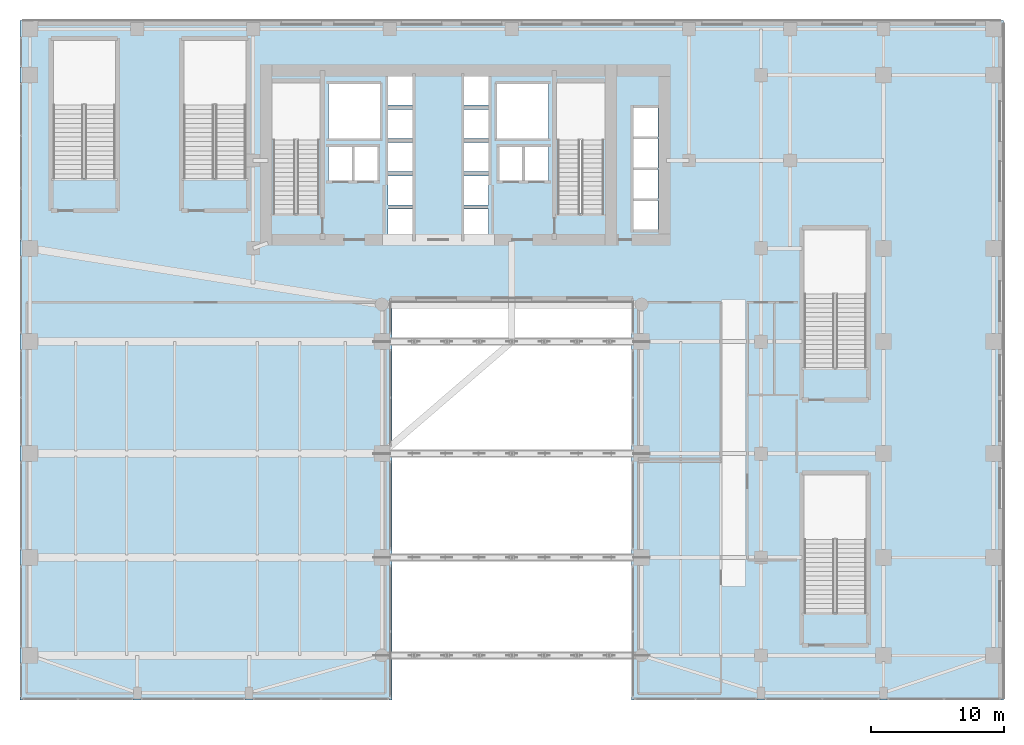
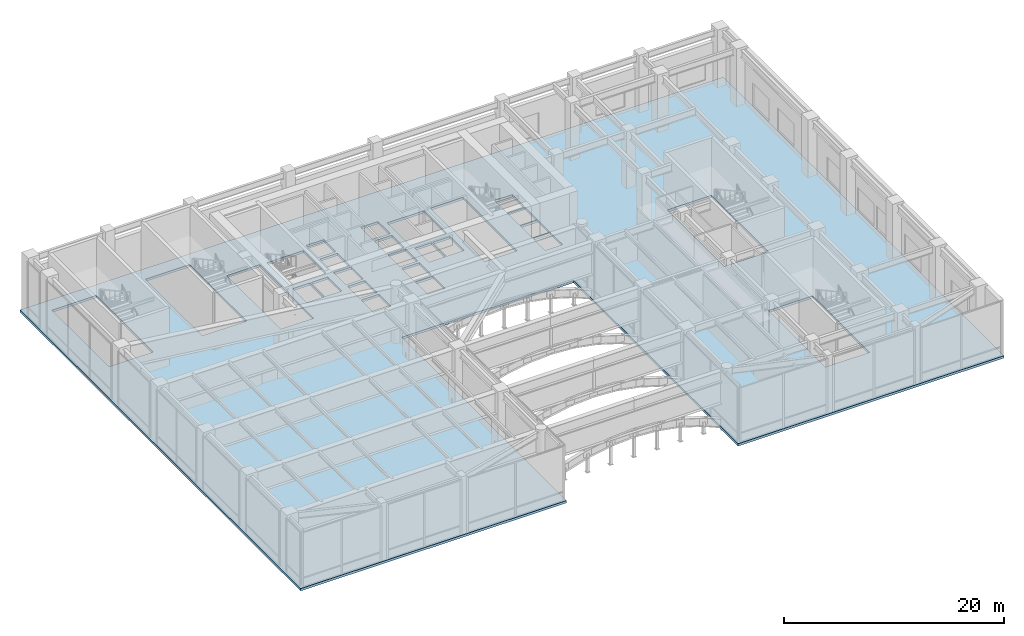
# One storey, part 37 of 50: 1 slab.
"""IFC4 building model written with IfcOpenShell, lengths in metres."""

from ifc_helpers import new_model, si_unit, direction, frame, origin, place, context, subcontext, project, spatial, polyline, outline, extrude, material, layer, layer_set, type_object, element, save


model = new_model("IFC4")

# Units and contexts
model_context = context("Model", 3, precision=1e-05, world=origin(), true_north=direction((0.0, 1.0)))
body_context = subcontext(model_context, "Body", "Model", "MODEL_VIEW")
ifc_project = project(units=[si_unit("LENGTHUNIT", "METRE"), si_unit("AREAUNIT", "SQUARE_METRE"), si_unit("VOLUMEUNIT", "CUBIC_METRE"), si_unit("PLANEANGLEUNIT", "RADIAN"), si_unit("MASSUNIT", "GRAM", prefix="KILO")], contexts=[model_context])

# Site, building, storey
site_placement = place(None, origin())
site = spatial("IfcSite", under=ifc_project, at=site_placement, CompositionType="ELEMENT")
building_placement = place(site_placement, origin())
building = spatial("IfcBuilding", under=site, at=building_placement, Name="Tolvann Quenvar Hotel", CompositionType="ELEMENT")
storey_placement = place(building_placement, frame((0.0, 0.0, 16.0)))
storey = spatial("IfcBuildingStorey", under=building, at=storey_placement, Name="L03", CompositionType="ELEMENT", Elevation=16.0)

# Slab
ifc_material = material(Name="Concrete N50 (50 MPa)", Category="concrete")
ifc_layer = layer(ifc_material, 0.260009765625)
ifc_layer_set = layer_set([ifc_layer], Name="Concrete N50 (50 MPa)")
slab_type = type_object("IfcSlabType", Name="SLAB_POD_250", PredefinedType="FLOOR", material=ifc_layer_set)
slab_placement = place(storey_placement, frame((0.0, 0.0, -0.260009765625)))
element("IfcSlab", 1, at=slab_placement, inside=storey, type_object=slab_type, Name="Level L03 Structural Floor Slab", PredefinedType="FLOOR", context=body_context, shape_type="SweptSolid", body=[
    extrude(outline(polyline([(-8.39990234375, -2.5), (19.5, -2.5), (19.5, 27.39990234375), (37.5, 27.39990234375), (37.5, -2.5), (65.39990234375, -2.5), (65.39990234375, 48.5), (-8.39990234375, 48.5), (-8.39990234375, -2.5)]), holes=[polyline([(50.449951171875, 4.074951171875), (50.449951171875, 14.39990234375), (55.10009765625, 14.39990234375), (55.10009765625, 4.074951171875), (50.449951171875, 4.074951171875)]), polyline([(50.449951171875, 32.800048828125), (55.10009765625, 32.800048828125), (55.10009765625, 22.47509765625), (50.449951171875, 22.47509765625), (50.449951171875, 32.800048828125)]), polyline([(39.469970703125, 41.949951171875), (39.469970703125, 39.77001953125), (37.6298828125, 39.77001953125), (37.6298828125, 41.949951171875), (39.469970703125, 41.949951171875)]), polyline([(39.469970703125, 39.6298828125), (39.469970703125, 37.449951171875), (37.6298828125, 37.449951171875), (37.6298828125, 39.6298828125), (39.469970703125, 39.6298828125)]), polyline([(37.6298828125, 37.31005859375), (39.469970703125, 37.31005859375), (39.469970703125, 35.1298828125), (37.6298828125, 35.1298828125), (37.6298828125, 37.31005859375)]), polyline([(39.469970703125, 34.989990234375), (39.469970703125, 32.81005859375), (37.6298828125, 32.81005859375), (37.6298828125, 34.989990234375), (39.469970703125, 34.989990234375)]), polyline([(31.949951171875, 43.800048828125), (35.39990234375, 43.800048828125), (35.39990234375, 34.02490234375), (31.949951171875, 34.02490234375), (31.949951171875, 43.800048828125)]), polyline([(31.25, 39.02001953125), (31.25, 36.47998046875), (29.449951171875, 36.47998046875), (29.449951171875, 39.02001953125), (31.25, 39.02001953125)]), polyline([(31.25, 43.75), (31.25, 39.64990234375), (27.39990234375, 39.64990234375), (27.39990234375, 43.75), (31.25, 43.75)]), polyline([(29.324951171875, 39.02001953125), (29.324951171875, 36.47998046875), (27.574951171875, 36.47998046875), (27.574951171875, 39.02001953125), (29.324951171875, 39.02001953125)]), polyline([(24.929931640625, 36.840087890625), (26.77001953125, 36.840087890625), (26.77001953125, 34.659912109375), (24.929931640625, 34.659912109375), (24.929931640625, 36.840087890625)]), polyline([(26.77001953125, 44.340087890625), (26.77001953125, 42.159912109375), (24.929931640625, 42.159912109375), (24.929931640625, 44.340087890625), (26.77001953125, 44.340087890625)]), polyline([(26.77001953125, 41.840087890625), (26.77001953125, 39.659912109375), (24.929931640625, 39.659912109375), (24.929931640625, 41.840087890625), (26.77001953125, 41.840087890625)]), polyline([(24.929931640625, 39.340087890625), (26.77001953125, 39.340087890625), (26.77001953125, 37.159912109375), (24.929931640625, 37.159912109375), (24.929931640625, 39.340087890625)]), polyline([(26.77001953125, 34.340087890625), (26.77001953125, 32.159912109375), (24.929931640625, 32.159912109375), (24.929931640625, 34.340087890625), (26.77001953125, 34.340087890625)]), polyline([(21.070068359375, 44.340087890625), (21.070068359375, 42.159912109375), (19.22998046875, 42.159912109375), (19.22998046875, 44.340087890625), (21.070068359375, 44.340087890625)]), polyline([(21.070068359375, 41.840087890625), (21.070068359375, 39.659912109375), (19.22998046875, 39.659912109375), (19.22998046875, 41.840087890625), (21.070068359375, 41.840087890625)]), polyline([(19.22998046875, 39.340087890625), (21.070068359375, 39.340087890625), (21.070068359375, 37.159912109375), (19.22998046875, 37.159912109375), (19.22998046875, 39.340087890625)]), polyline([(21.070068359375, 36.840087890625), (21.070068359375, 34.659912109375), (19.22998046875, 34.659912109375), (19.22998046875, 36.840087890625), (21.070068359375, 36.840087890625)]), polyline([(19.22998046875, 34.340087890625), (21.070068359375, 34.340087890625), (21.070068359375, 32.159912109375), (19.22998046875, 32.159912109375), (19.22998046875, 34.340087890625)]), polyline([(18.60009765625, 43.75), (18.60009765625, 39.64990234375), (14.75, 39.64990234375), (14.75, 43.75), (18.60009765625, 43.75)]), polyline([(18.425048828125, 39.02001953125), (18.425048828125, 36.47998046875), (16.675048828125, 36.47998046875), (16.675048828125, 39.02001953125), (18.425048828125, 39.02001953125)]), polyline([(16.550048828125, 39.02001953125), (16.550048828125, 36.47998046875), (14.75, 36.47998046875), (14.75, 39.02001953125), (16.550048828125, 39.02001953125)]), polyline([(10.60009765625, 43.800048828125), (14.050048828125, 43.800048828125), (14.050048828125, 34.02490234375), (10.60009765625, 34.02490234375), (10.60009765625, 43.800048828125)]), polyline([(3.89990234375, 47.0), (8.550048828125, 47.0), (8.550048828125, 36.675048828125), (3.89990234375, 36.675048828125), (3.89990234375, 47.0)]), polyline([(-5.89990234375, 47.0), (-1.25, 47.0), (-1.25, 36.675048828125), (-5.89990234375, 36.675048828125), (-5.89990234375, 47.0)])]), origin(), (0.0, 0.0, 1.0), 0.260009765625),
])

save(model, "model.ifc")
